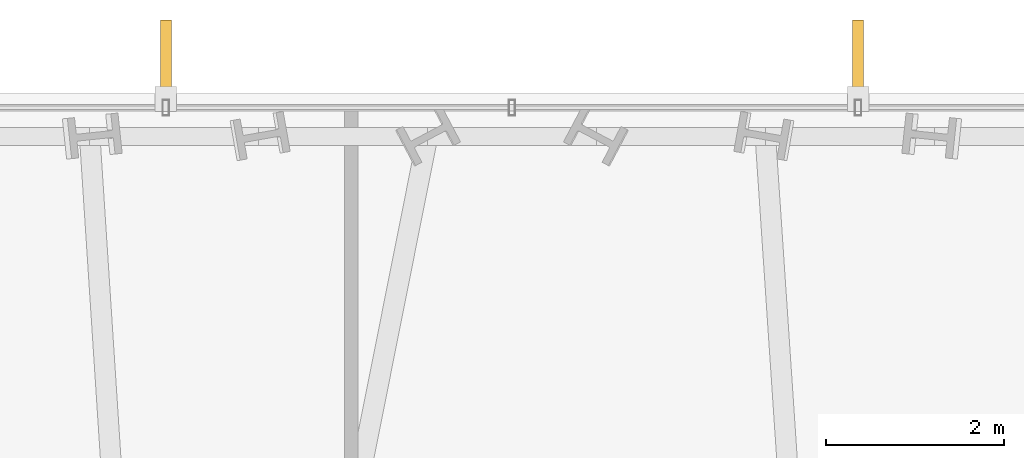
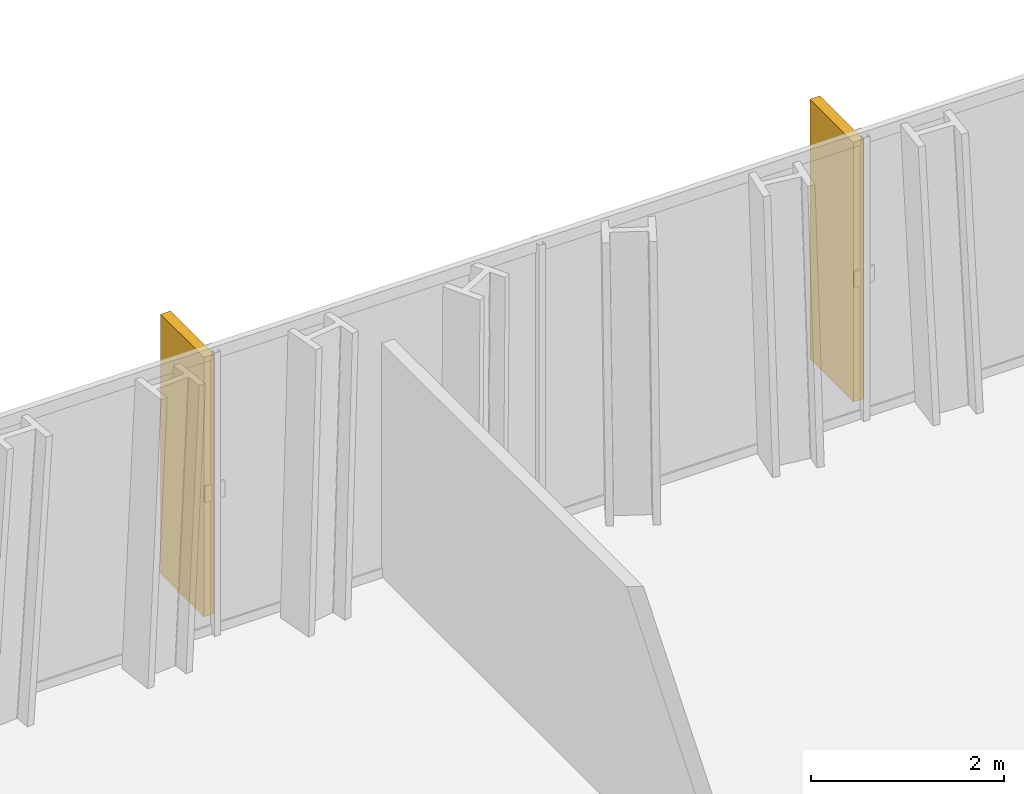
# One storey, part 32 of 32: 2 shading devices.
"""IFC4 building model written with IfcOpenShell, lengths in metres."""

import ifcopenshell
import ifcopenshell.guid

model = None  # the IFC model being written
_history = None  # IfcOwnerHistory: only IFC2X3 demands one
_inside = {}  # id of a spatial element -> (the spatial element, [elements in it])
_under = {}  # id of a project, library or spatial element -> (it, [spatial elements below it])
_declared = {}  # id of a project -> (the project, [libraries it declares])
_typed = {}  # id of a type object -> (the type object, [elements of that type])
_made_of = {}  # id of a material, layer set ... -> (it, [elements and type objects made of it])


def new_model(schema):
    """Start an empty IFC model of exactly this schema.

    Asked for "IFC4X3", IfcOpenShell would pick the latest addendum, in which some entities
    have other attributes; the version numbers below select the first issue.
    IFC2X3 requires an IfcOwnerHistory on every rooted entity: one is made here for all.
    """
    global model, _history
    if schema == "IFC4X3":
        model = ifcopenshell.file(schema_version=(4, 3, 0, 0))
    else:
        model = ifcopenshell.file(schema=schema)
    _inside.clear()
    _under.clear()
    _declared.clear()
    _typed.clear()
    _made_of.clear()
    _history = None
    if model.schema == "IFC2X3":
        org = make("IfcOrganization", Name="unknown")
        user = make(
            "IfcPersonAndOrganization",
            ThePerson=make("IfcPerson", FamilyName="unknown"),
            TheOrganization=org,
        )
        app = make(
            "IfcApplication",
            ApplicationDeveloper=org,
            Version="unknown",
            ApplicationFullName="unknown",
            ApplicationIdentifier="unknown",
        )
        _history = make(
            "IfcOwnerHistory",
            OwningUser=user,
            OwningApplication=app,
            ChangeAction="ADDED",
            CreationDate=0,
        )
    return model


def make(cls, **values):
    """One entity of the class cls with the attributes given. An attribute that is None is left unset."""
    return model.create_entity(
        cls, **{name: value for name, value in values.items() if value is not None}
    )


def rooted(cls, **values):
    """An entity with a GlobalId (a new one), such as an element, a storey or a relation."""
    return make(cls, GlobalId=ifcopenshell.guid.new(), OwnerHistory=_history, **values)


def si_unit(unit_type, name, prefix=None):
    """IfcSIUnit, for example si_unit("LENGTHUNIT", "METRE", prefix="MILLI")."""
    return make("IfcSIUnit", UnitType=unit_type, Prefix=prefix, Name=name)


def assignment(units):
    """IfcUnitAssignment: the units of a project."""
    return None if units is None else make("IfcUnitAssignment", Units=units)


def point(xyz):
    """IfcCartesianPoint."""
    return None if xyz is None else make("IfcCartesianPoint", Coordinates=xyz)


def direction(xyz):
    """IfcDirection."""
    return None if xyz is None else make("IfcDirection", DirectionRatios=xyz)


def frame(location, z_axis=None, x_axis=None):
    """IfcAxis2Placement3D, a coordinate frame: its origin and axes. An axis left out is left unset."""
    return make(
        "IfcAxis2Placement3D",
        Location=point(location),
        Axis=direction(z_axis),
        RefDirection=direction(x_axis),
    )


def frame_2d(location, x_axis=None):
    """IfcAxis2Placement2D, a coordinate frame in the plane: its origin and x axis."""
    return make(
        "IfcAxis2Placement2D", Location=point(location), RefDirection=direction(x_axis)
    )


def origin():
    """The frame at (0, 0, 0) with its axes left unset."""
    return frame((0.0, 0.0, 0.0))


def origin_2d():
    """The frame at (0, 0) in the plane with its x axis left unset."""
    return frame_2d((0.0, 0.0))


def place(relative_to, where):
    """IfcLocalPlacement: puts the frame where relative to a parent placement (None: the world)."""
    return make(
        "IfcLocalPlacement", PlacementRelTo=relative_to, RelativePlacement=where
    )


def context(
    kind, dimensions, precision=None, world=None, true_north=None, identifier=None
):
    """IfcGeometricRepresentationContext, for example the 3D "Model" context."""
    return make(
        "IfcGeometricRepresentationContext",
        ContextIdentifier=identifier,
        ContextType=kind,
        CoordinateSpaceDimension=dimensions,
        Precision=precision,
        WorldCoordinateSystem=world,
        TrueNorth=true_north,
    )


def subcontext(parent, identifier, kind, view, scale=None):
    """IfcGeometricRepresentationSubContext, for example "Body" below "Model"."""
    return make(
        "IfcGeometricRepresentationSubContext",
        ContextIdentifier=identifier,
        ContextType=kind,
        ParentContext=parent,
        TargetScale=scale,
        TargetView=view,
    )


def project(units=None, contexts=None):
    """IfcProject with its units and contexts."""
    return rooted(
        "IfcProject",
        Name="project",
        RepresentationContexts=contexts,
        UnitsInContext=assignment(units),
    )


def spatial(cls, under=None, at=None, **own):
    """A site, building, storey or space (cls), placed at a placement, below another one or the project."""
    s = rooted(cls, ObjectPlacement=at, **own)
    if under is not None:
        _under.setdefault(under.id(), (under, []))[1].append(s)
    return s


def profile(cls, at=None, kind="AREA", **sizes):
    """A parametric profile (cls). Its sizes go by their IFC names, for example OverallWidth=200.0."""
    return make(cls, ProfileType=kind, Position=at, **sizes)


def rectangle(**sizes):
    """IfcRectangleProfileDef."""
    return profile("IfcRectangleProfileDef", **sizes)


def extrude(swept, where, along, depth):
    """IfcExtrudedAreaSolid: the profile swept, set in the frame where, extruded along a direction by depth."""
    return make(
        "IfcExtrudedAreaSolid",
        SweptArea=swept,
        Position=where,
        ExtrudedDirection=direction(along),
        Depth=depth,
    )


def shape(context_of_items, identifier, shape_type, items):
    """IfcShapeRepresentation: the items that make up one representation, for example the "Body"."""
    return make(
        "IfcShapeRepresentation",
        ContextOfItems=context_of_items,
        RepresentationIdentifier=identifier,
        RepresentationType=shape_type,
        Items=items,
    )


def material(Name=None, Category=None):
    """IfcMaterial."""
    return make("IfcMaterial", Name=Name, Category=Category)


def made_of(thing, what):
    """Note that an element or type object is made of a material, layer set ...; save() writes the relation."""
    if what is not None:
        _made_of.setdefault(what.id(), (what, []))[1].append(thing)
    return thing


def type_object(cls, material=None, **own):
    """A type object (cls), such as IfcWallType, which elements share."""
    return made_of(rooted(cls, **own), material)


def element(
    cls,
    number,
    at=None,
    inside=None,
    cuts=None,
    type_object=None,
    material=None,
    context=None,
    identifier="Body",
    shape_type=None,
    held_by="IfcProductDefinitionShape",
    body=None,
    shapes=None,
    **own,
):
    """One element of the class cls, such as IfcWall. Its Tag is "e" and its number.

    at: its placement. inside: the storey or other place that contains it. cuts: it is an
    opening in that element (IfcRelVoidsElement). A single representation is given by context,
    identifier, shape_type and body (its items); several are given by shapes. held_by: the class
    of the entity that holds the representations. save() writes the other relations.
    """
    e = rooted(cls, Tag="e%d" % number, ObjectPlacement=at, **own)
    if body is not None:
        shapes = [shape(context, identifier, shape_type, body)]
    if shapes is not None:
        e.Representation = make(held_by, Representations=shapes)
    if inside is not None:
        _inside.setdefault(inside.id(), (inside, []))[1].append(e)
    if cuts is not None:
        rooted(
            "IfcRelVoidsElement", RelatingBuildingElement=cuts, RelatedOpeningElement=e
        )
    if type_object is not None:
        _typed.setdefault(type_object.id(), (type_object, []))[1].append(e)
    return made_of(e, material)


def aggregate(whole, parts):
    """IfcRelAggregates: a whole, such as a stair, and the parts it consists of."""
    return rooted("IfcRelAggregates", RelatingObject=whole, RelatedObjects=parts)


def save(model, path):
    """Write the relations noted so far, then the file.

    IfcRelAggregates (storeys below a building ...), IfcRelContainedInSpatialStructure (elements
    in a storey), IfcRelDefinesByType, IfcRelAssociatesMaterial and IfcRelDeclares: one each for
    every whole, place, type object, material and project.
    """
    for whole, parts in _under.values():
        aggregate(whole, parts)
    for where, things in _inside.values():
        rooted(
            "IfcRelContainedInSpatialStructure",
            RelatedElements=things,
            RelatingStructure=where,
        )
    for kind, things in _typed.values():
        rooted("IfcRelDefinesByType", RelatedObjects=things, RelatingType=kind)
    for what, things in _made_of.values():
        rooted("IfcRelAssociatesMaterial", RelatedObjects=things, RelatingMaterial=what)
    for by, libraries in _declared.values():
        rooted("IfcRelDeclares", RelatingContext=by, RelatedDefinitions=libraries)
    model.write(path)


model = new_model("IFC4")

# Units and contexts
model_context = context("Model", 3, precision=1e-05, world=origin(), true_north=direction((0.0, 1.0)))
body_context = subcontext(model_context, "Body", "Model", "MODEL_VIEW")
ifc_project = project(units=[si_unit("LENGTHUNIT", "METRE"), si_unit("AREAUNIT", "SQUARE_METRE"), si_unit("VOLUMEUNIT", "CUBIC_METRE"), si_unit("PLANEANGLEUNIT", "RADIAN"), si_unit("MASSUNIT", "GRAM", prefix="KILO")], contexts=[model_context])

# Site, building, storey
site_placement = place(None, origin())
site = spatial("IfcSite", under=ifc_project, at=site_placement, CompositionType="ELEMENT")
building_placement = place(site_placement, origin())
building = spatial("IfcBuilding", under=site, at=building_placement, Name="Ndaravel Arena Tower", CompositionType="ELEMENT")
storey_placement = place(building_placement, frame((0.0, 0.0, 66.39990234375)))
storey = spatial("IfcBuildingStorey", under=building, at=storey_placement, Name="L14", CompositionType="ELEMENT", Elevation=66.39990234375)

# Shading devices
ifc_material = material(Name="Masonry", Category="masonry")
shading_device_type = type_object("IfcShadingDeviceType", Name="SHD-MAZERAS-FIN", PredefinedType="SHUTTER", material=ifc_material)
for number, where, z_axis, x_axis, name in (
    (1, (45.878173828125, 46.3818359375, 0.14990234375), (0.0, 0.0, 1.0), (0.0, 1.0, 0.0), "L14 Mazeras Stone Solar Fin E4.1"),
    (2, (38.121826171875, 46.3818359375, 0.14990234375), (0.0, 0.0, 1.0), (0.0, 1.0, 0.0), "L14 Mazeras Stone Solar Fin E4.2"),
):
    element("IfcShadingDevice", number, at=place(storey_placement, frame(where, z_axis=z_axis, x_axis=x_axis)), inside=storey, type_object=shading_device_type, Name=name, PredefinedType="SHUTTER", context=body_context, shape_type="SweptSolid", body=[
        extrude(rectangle(XDim=0.89990234375, YDim=0.1201171875, at=origin_2d()), origin(), (0.0, 0.0, 1.0), 3.280029296875),
    ])

save(model, "model.ifc")
